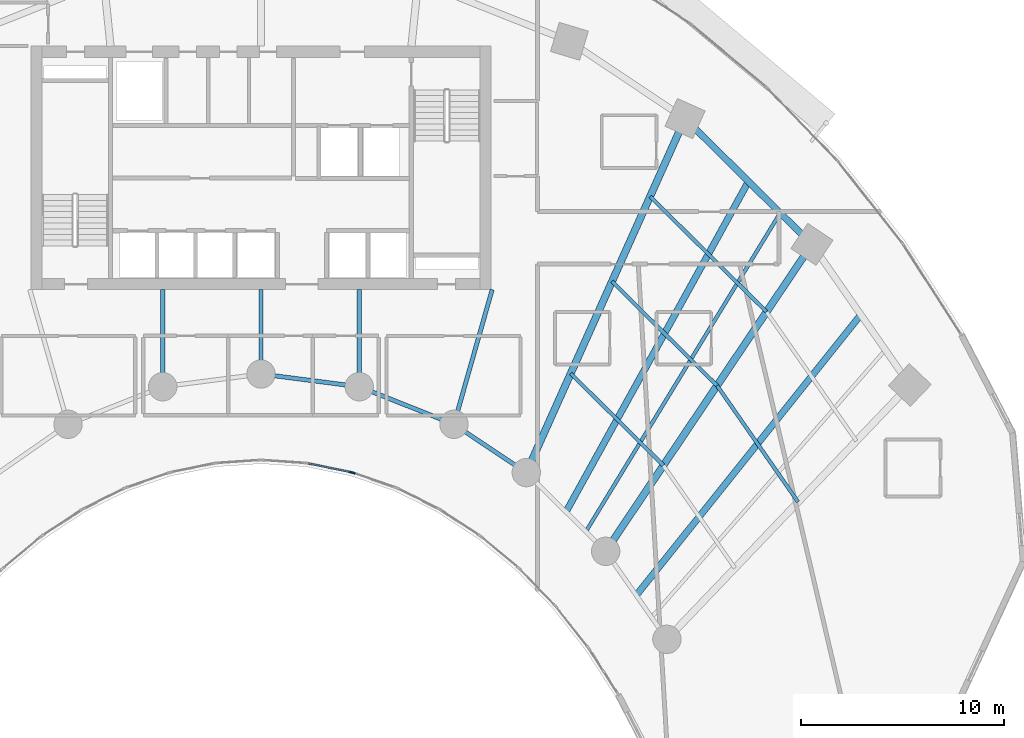
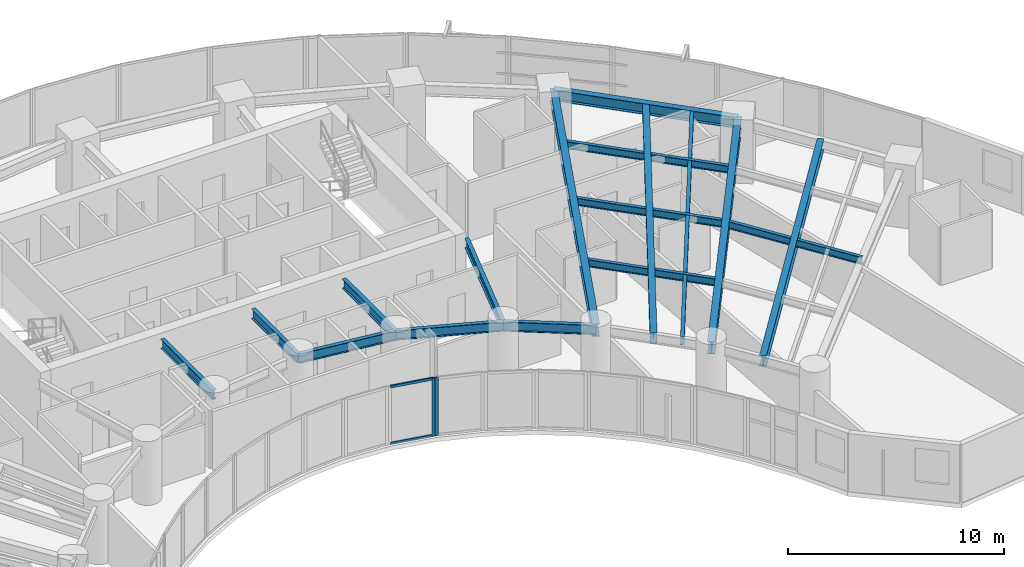
# One storey, part 5 of 17: 17 beams, 4 members, 2 elements without a shape of their own.
"""IFC4 building model written with IfcOpenShell, lengths in metres."""

from ifc_helpers import new_model, si_unit, direction, frame, origin, origin_2d, place, context, subcontext, project, spatial, rectangle, i_section, extrude, source, transform, mapped, material, layer, layer_set, material_profile, profile_set, type_object, type_shapes, element, aggregate, save


model = new_model("IFC4")

# Units and contexts
model_context = context("Model", 3, precision=1e-05, world=origin(), true_north=direction((0.0, 1.0)))
body_context = subcontext(model_context, "Body", "Model", "MODEL_VIEW")
ifc_project = project(units=[si_unit("LENGTHUNIT", "METRE"), si_unit("AREAUNIT", "SQUARE_METRE"), si_unit("VOLUMEUNIT", "CUBIC_METRE"), si_unit("PLANEANGLEUNIT", "RADIAN"), si_unit("MASSUNIT", "GRAM", prefix="KILO")], contexts=[model_context])

# Site, building, storey
site_placement = place(None, origin())
site = spatial("IfcSite", under=ifc_project, at=site_placement, CompositionType="ELEMENT")
building_placement = place(site_placement, origin())
building = spatial("IfcBuilding", under=site, at=building_placement, Name="Breltana Convention Tower", CompositionType="ELEMENT")
storey_placement = place(building_placement, frame((0.0, 0.0, 82.199951171875)))
storey = spatial("IfcBuildingStorey", under=building, at=storey_placement, Name="L19", CompositionType="ELEMENT", Elevation=82.199951171875)

# Beams
ifc_material_1 = material(Name="Steel ASTM A992 Grade 50", Category="steel")
ifc_material_profile_1 = material_profile(ifc_material_1, i_section(OverallWidth=0.323974609375, OverallDepth=0.611083984375, WebThickness=0.0126953125, FlangeThickness=0.01904296875, at=origin_2d()), Name="W24X104")
ifc_profile_set_1 = profile_set([ifc_material_profile_1], Name="Steel ASTM A992 Grade 50")
beam_type_1 = type_object("IfcBeamType", Name="BM-SP-W24X104", PredefinedType="SPANDREL", material=ifc_profile_set_1)
shared_shape_1 = source(origin(), body_context, "Body", "SweptSolid", [
    extrude(i_section(OverallWidth=0.323974609375, OverallDepth=0.611083984375, WebThickness=0.0126953125, FlangeThickness=0.01904296875, at=origin_2d()), origin(), (0.0, 0.0, 1.0), 8.810302734375),
])
beam_1_placement = place(storey_placement, frame((68.910400390625, 68.63330078125, 2.974609375), z_axis=(0.710120823582, -0.704079836322, 0.0), x_axis=(0.704079836322, 0.710120823582, 0.0)))
element("IfcBeam", 1, at=beam_1_placement, inside=storey, type_object=beam_type_1, Name="L19 Outer Spandrel Beam 09", PredefinedType="SPANDREL", context=body_context, shape_type="MappedRepresentation", body=[
    mapped(shared_shape_1, transform((0.0, 0.0, 0.0), scale=1.0)),
])
ifc_material_profile_2 = material_profile(ifc_material_1, i_section(OverallWidth=0.2099609375, OverallDepth=0.537109375, WebThickness=0.010986328125, FlangeThickness=0.017333984375, at=origin_2d()), Name="W21X68")
ifc_profile_set_2 = profile_set([ifc_material_profile_2], Name="Steel ASTM A992 Grade 50")
beam_type_2 = type_object("IfcBeamType", Name="BM-BM-W21X68", PredefinedType="BEAM", material=ifc_profile_set_2)
shared_shape_2 = source(origin(), body_context, "Body", "SweptSolid", [
    extrude(i_section(OverallWidth=0.2099609375, OverallDepth=0.537109375, WebThickness=0.010986328125, FlangeThickness=0.017333984375, at=origin_2d()), origin(), (0.0, 0.0, 1.0), 6.904541015625),
])
type_shapes(beam_type_2, [shared_shape_2])
beam_2_placement = place(storey_placement, frame((59.39990234375, 60.199951171875, 3.011474609375), z_axis=(-0.273006781054, -0.962012108811, 0.0), x_axis=(0.962012108811, -0.273006781054, 0.0)))
element("IfcBeam", 2, at=beam_2_placement, inside=storey, type_object=beam_type_2, Name="L19 South Core Tie Girder R08", PredefinedType="BEAM", context=body_context, shape_type="MappedRepresentation", body=[
    mapped(shared_shape_2, transform((0.0, 0.0, 0.0), scale=1.0)),
])
shared_shape_3 = source(origin(), body_context, "Body", "SweptSolid", [
    extrude(i_section(OverallWidth=0.2099609375, OverallDepth=0.537109375, WebThickness=0.010986328125, FlangeThickness=0.017333984375, at=origin_2d()), origin(), (0.0, 0.0, 1.0), 4.789306640625),
])
for number, where, z_axis, x_axis, name in (
    (3, (43.153564453125, 60.199951171875, 3.011474609375), (0.0, -1.0, 0.0), (1.0, 0.0, 0.0), "L19 South Core Tie Girder R05"),
    (4, (52.846435546875, 60.199951171875, 3.011474609375), (0.0, -1.0, 0.0), (1.0, 0.0, 0.0), "L19 South Core Tie Girder R07"),
):
    element("IfcBeam", number, at=place(storey_placement, frame(where, z_axis=z_axis, x_axis=x_axis)), inside=storey, type_object=beam_type_2, Name=name, PredefinedType="BEAM", context=body_context, shape_type="MappedRepresentation", body=[
        mapped(shared_shape_3, transform((0.0, 0.0, 0.0), scale=1.0)),
    ])
shared_shape_4 = source(origin(), body_context, "Body", "SweptSolid", [
    extrude(i_section(OverallWidth=0.2099609375, OverallDepth=0.537109375, WebThickness=0.010986328125, FlangeThickness=0.017333984375, at=origin_2d()), origin(), (0.0, 0.0, 1.0), 4.1640625),
])
beam_3_placement = place(storey_placement, frame((48.0, 60.199951171875, 3.011474609375), z_axis=(0.0, -1.0, 0.0), x_axis=(1.0, 0.0, 0.0)))
element("IfcBeam", 5, at=beam_3_placement, inside=storey, type_object=beam_type_2, Name="L19 South Core Tie Girder R06", PredefinedType="BEAM", context=body_context, shape_type="MappedRepresentation", body=[
    mapped(shared_shape_4, transform((0.0, 0.0, 0.0), scale=1.0)),
])
ifc_material_profile_3 = material_profile(ifc_material_1, i_section(OverallWidth=0.35498046875, OverallDepth=0.696044921875, WebThickness=0.015380859375, FlangeThickness=0.02490234375, at=origin_2d()), Name="W27X146")
ifc_profile_set_3 = profile_set([ifc_material_profile_3], Name="Steel ASTM A992 Grade 50")
beam_type_3 = type_object("IfcBeamType", Name="BM-RG-W27X146", PredefinedType="USERDEFINED", material=ifc_profile_set_3)
shared_shape_5 = source(origin(), body_context, "Body", "SweptSolid", [
    extrude(i_section(OverallWidth=0.35498046875, OverallDepth=0.696044921875, WebThickness=0.015380859375, FlangeThickness=0.02490234375, at=origin_2d()), origin(), (0.0, 0.0, 1.0), 19.133544921875),
])
beam_4_placement = place(storey_placement, frame((61.08203125, 51.174560546875, 2.93212890625), z_axis=(0.409144564164, 0.912469575172, 0.0), x_axis=(-0.912469575172, 0.409144564164, 0.0)))
element("IfcBeam", 6, at=beam_4_placement, inside=storey, type_object=beam_type_3, Name="L19 Radial Floor Girder R09", ObjectType="GIRDER", PredefinedType="USERDEFINED", context=body_context, shape_type="MappedRepresentation", body=[
    mapped(shared_shape_5, transform((0.0, 0.0, 0.0), scale=1.0)),
])
shared_shape_6 = source(origin(), body_context, "Body", "SweptSolid", [
    extrude(i_section(OverallWidth=0.35498046875, OverallDepth=0.696044921875, WebThickness=0.015380859375, FlangeThickness=0.02490234375, at=origin_2d()), origin(), (0.0, 0.0, 1.0), 18.236328125),
])
beam_5_placement = place(storey_placement, frame((64.995849609375, 47.293701171875, 2.93212890625), z_axis=(0.557730360975, 0.830022195153, 0.0), x_axis=(-0.830022195153, 0.557730360975, 0.0)))
element("IfcBeam", 7, at=beam_5_placement, inside=storey, type_object=beam_type_3, Name="L19 Radial Floor Girder R10", ObjectType="GIRDER", PredefinedType="USERDEFINED", context=body_context, shape_type="MappedRepresentation", body=[
    mapped(shared_shape_6, transform((0.0, 0.0, 0.0), scale=1.0)),
])
shared_shape_7 = source(origin(), body_context, "Body", "SweptSolid", [
    extrude(i_section(OverallWidth=0.2099609375, OverallDepth=0.537109375, WebThickness=0.010986328125, FlangeThickness=0.017333984375, at=origin_2d()), origin(), (0.0, 0.0, 1.0), 5.022705078125),
])
beam_6_placement = place(storey_placement, frame((52.846435546875, 55.41064453125, 3.011474609375), z_axis=(0.929458966248, -0.368925507469, 0.0), x_axis=(0.368925507469, 0.929458966248, 0.0)))
element("IfcBeam", 8, at=beam_6_placement, inside=storey, type_object=beam_type_2, Name="L19 Inner Ring Beam 07", PredefinedType="BEAM", context=body_context, shape_type="MappedRepresentation", body=[
    mapped(shared_shape_7, transform((0.0, 0.0, 0.0), scale=1.0)),
])
shared_shape_8 = source(origin(), body_context, "Body", "SweptSolid", [
    extrude(i_section(OverallWidth=0.2099609375, OverallDepth=0.537109375, WebThickness=0.010986328125, FlangeThickness=0.017333984375, at=origin_2d()), origin(), (0.0, 0.0, 1.0), 4.88671875),
])
beam_7_placement = place(storey_placement, frame((48.0, 56.035888671875, 3.011474609375), z_axis=(0.991780525565, -0.127950729231, 0.0), x_axis=(0.127950729231, 0.991780525565, 0.0)))
element("IfcBeam", 9, at=beam_7_placement, inside=storey, type_object=beam_type_2, Name="L19 Inner Ring Beam 06", PredefinedType="BEAM", context=body_context, shape_type="MappedRepresentation", body=[
    mapped(shared_shape_8, transform((0.0, 0.0, 0.0), scale=1.0)),
])
shared_shape_9 = source(origin(), body_context, "Body", "SweptSolid", [
    extrude(i_section(OverallWidth=0.2099609375, OverallDepth=0.537109375, WebThickness=0.010986328125, FlangeThickness=0.017333984375, at=origin_2d()), origin(), (0.0, 0.0, 1.0), 4.2900390625),
])
beam_8_placement = place(storey_placement, frame((57.514892578125, 53.5576171875, 3.011474609375), z_axis=(0.831515827753, -0.555501060482, 0.0), x_axis=(0.555501060482, 0.831515827753, 0.0)))
element("IfcBeam", 10, at=beam_8_placement, inside=storey, type_object=beam_type_2, Name="L19 Inner Ring Beam 08", PredefinedType="BEAM", context=body_context, shape_type="MappedRepresentation", body=[
    mapped(shared_shape_9, transform((0.0, 0.0, 0.0), scale=1.0)),
])
ifc_material_profile_4 = material_profile(ifc_material_1, i_section(OverallWidth=0.179931640625, OverallDepth=0.4130859375, WebThickness=0.009765625, FlangeThickness=0.01611328125, at=origin_2d()), Name="W16X50")
ifc_profile_set_4 = profile_set([ifc_material_profile_4], Name="Steel ASTM A992 Grade 50")
beam_type_4 = type_object("IfcBeamType", Name="BM-JSG-08", PredefinedType="JOIST", material=ifc_profile_set_4)
shared_shape_10 = source(origin(), body_context, "Body", "SweptSolid", [
    extrude(i_section(OverallWidth=0.179931640625, OverallDepth=0.4130859375, WebThickness=0.009765625, FlangeThickness=0.01611328125, at=origin_2d()), origin(), (0.0, 0.0, 1.0), 6.435302734375),
])
beam_9_placement = place(storey_placement, frame((63.27392578125, 56.06298828125, 3.073486328125), z_axis=(0.710116389828, -0.704084308089, 0.0), x_axis=(0.704084308089, 0.710116389828, 0.0)))
element("IfcBeam", 11, at=beam_9_placement, inside=storey, type_object=beam_type_4, Name="L19 Composite Floor Joist 09.1", PredefinedType="JOIST", context=body_context, shape_type="MappedRepresentation", body=[
    mapped(shared_shape_10, transform((0.0, 0.0, 0.0), scale=1.0)),
])
shared_shape_11 = source(origin(), body_context, "Body", "SweptSolid", [
    extrude(i_section(OverallWidth=0.179931640625, OverallDepth=0.4130859375, WebThickness=0.009765625, FlangeThickness=0.01611328125, at=origin_2d()), origin(), (0.0, 0.0, 1.0), 7.29296875),
])
beam_10_placement = place(storey_placement, frame((65.309326171875, 60.602294921875, 3.073486328125), z_axis=(0.710096551013, -0.704104316305, 0.0), x_axis=(0.704104316305, 0.710096551013, 0.0)))
element("IfcBeam", 12, at=beam_10_placement, inside=storey, type_object=beam_type_4, Name="L19 Composite Floor Joist 09.2", PredefinedType="JOIST", context=body_context, shape_type="MappedRepresentation", body=[
    mapped(shared_shape_11, transform((0.0, 0.0, 0.0), scale=1.0)),
])
shared_shape_12 = source(origin(), body_context, "Body", "SweptSolid", [
    extrude(i_section(OverallWidth=0.179931640625, OverallDepth=0.4130859375, WebThickness=0.009765625, FlangeThickness=0.01611328125, at=origin_2d()), origin(), (0.0, 0.0, 1.0), 8.084716796875),
])
beam_11_placement = place(storey_placement, frame((67.188232421875, 64.79248046875, 3.073486328125), z_axis=(0.710105094548, -0.704095699956, 0.0), x_axis=(0.704095699956, 0.710105094548, 0.0)))
element("IfcBeam", 13, at=beam_11_placement, inside=storey, type_object=beam_type_4, Name="L19 Composite Floor Joist 09.3", PredefinedType="JOIST", context=body_context, shape_type="MappedRepresentation", body=[
    mapped(shared_shape_12, transform((0.0, 0.0, 0.0), scale=1.0)),
])
ifc_material_profile_5 = material_profile(ifc_material_1, i_section(OverallWidth=0.323974609375, OverallDepth=0.611083984375, WebThickness=0.0126953125, FlangeThickness=0.01904296875, at=origin_2d()), Name="W24X104")
ifc_profile_set_5 = profile_set([ifc_material_profile_5], Name="Steel ASTM A992 Grade 50")
beam_type_5 = type_object("IfcBeamType", Name="BM-JSG-01", PredefinedType="JOIST", material=ifc_profile_set_5)
shared_shape_13 = source(origin(), body_context, "Body", "SweptSolid", [
    extrude(i_section(OverallWidth=0.323974609375, OverallDepth=0.611083984375, WebThickness=0.0126953125, FlangeThickness=0.01904296875, at=origin_2d()), origin(), (0.0, 0.0, 1.0), 18.617431640625),
])
beam_12_placement = place(storey_placement, frame((63.038818359375, 49.234130859375, 2.974609375), z_axis=(0.483405602507, 0.875396495004, 0.0), x_axis=(-0.875396495004, 0.483405602507, 0.0)))
element("IfcBeam", 14, at=beam_12_placement, inside=storey, type_object=beam_type_5, Name="L19 Mid-Bay Radial Trimmer 09", PredefinedType="JOIST", context=body_context, shape_type="MappedRepresentation", body=[
    mapped(shared_shape_13, transform((0.0, 0.0, 0.0), scale=1.0)),
])
shared_shape_14 = source(origin(), body_context, "Body", "SweptSolid", [
    extrude(i_section(OverallWidth=0.179931640625, OverallDepth=0.4130859375, WebThickness=0.009765625, FlangeThickness=0.01611328125, at=origin_2d()), origin(), (0.0, 0.0, 1.0), 18.409423828125),
])
beam_13_placement = place(storey_placement, frame((64.017333984375, 48.263916015625, 3.073486328125), z_axis=(0.520682167606, 0.853750596098, 0.0), x_axis=(-0.853750596098, 0.520682167606, 0.0)))
element("IfcBeam", 15, at=beam_13_placement, inside=storey, type_object=beam_type_4, Name="L19 Quarter-Bay Radial Trimmer 09", PredefinedType="JOIST", context=body_context, shape_type="MappedRepresentation", body=[
    mapped(shared_shape_14, transform((0.0, 0.0, 0.0), scale=1.0)),
])
shared_shape_15 = source(origin(), body_context, "Body", "SweptSolid", [
    extrude(i_section(OverallWidth=0.179931640625, OverallDepth=0.4130859375, WebThickness=0.009765625, FlangeThickness=0.01611328125, at=origin_2d()), origin(), (0.0, 0.0, 1.0), 6.99462890625),
])
beam_14_placement = place(storey_placement, frame((70.488037109375, 55.46728515625, 3.073486328125), z_axis=(0.571206630732, -0.820806301759, 0.0), x_axis=(0.820806301759, 0.571206630732, 0.0)))
element("IfcBeam", 16, at=beam_14_placement, inside=storey, type_object=beam_type_4, Name="L19 Composite Floor Joist 10.2", PredefinedType="JOIST", context=body_context, shape_type="MappedRepresentation", body=[
    mapped(shared_shape_15, transform((0.0, 0.0, 0.0), scale=1.0)),
])
shared_shape_16 = source(origin(), body_context, "Body", "SweptSolid", [
    extrude(i_section(OverallWidth=0.323974609375, OverallDepth=0.611083984375, WebThickness=0.0126953125, FlangeThickness=0.01904296875, at=origin_2d()), origin(), (0.0, 0.0, 1.0), 17.7236328125),
])
beam_15_placement = place(storey_placement, frame((66.505615234375, 45.124267578125, 2.974609375), z_axis=(0.624829427563, 0.78076128647, 0.0), x_axis=(-0.78076128647, 0.624829427563, 0.0)))
element("IfcBeam", 17, at=beam_15_placement, inside=storey, type_object=beam_type_5, Name="L19 Mid-Bay Radial Trimmer 10", PredefinedType="JOIST", context=body_context, shape_type="MappedRepresentation", body=[
    mapped(shared_shape_16, transform((0.0, 0.0, 0.0), scale=1.0)),
])

# Curtain wall, members
ifc_material_2 = material(Name="Aluminium Anodised Bronze Frame", Category="aluminium")
ifc_layer = layer(ifc_material_2, 0.18994140625, Name="Aluminium Anodised Bronze Frame")
ifc_layer_set = layer_set([ifc_layer], Name="Aluminium Anodised Bronze Frame")
curtain_wall_type = type_object("IfcCurtainWallType", Name="CW-SYS-1", PredefinedType="NOTDEFINED", material=ifc_layer_set)
curtain_wall_1_placement = place(storey_placement, origin())
curtain_wall_1 = element("IfcCurtainWall", 18, at=curtain_wall_1_placement, inside=storey, type_object=curtain_wall_type, Name="L19 inner south-court glazing 8", PredefinedType="NOTDEFINED")
ifc_material_3 = material(Name="Aluminium Anodised Bronze", Category="aluminium")
ifc_material_profile_6 = material_profile(ifc_material_3, rectangle(XDim=0.080078125, YDim=0.139892578125, at=origin_2d()), Name="CWT-80X140")
ifc_profile_set_6 = profile_set([ifc_material_profile_6], Name="Aluminium Anodised Bronze")
member_type_1 = type_object("IfcMemberType", Name="CWT-140", PredefinedType="USERDEFINED", material=ifc_profile_set_6)
shared_shape_17 = source(origin(), body_context, "Body", "SweptSolid", [
    extrude(rectangle(XDim=0.080078125, YDim=0.139892578125, at=origin_2d()), origin(), (0.0, 0.0, 1.0), 2.096435546875),
])
member_1_placement = place(storey_placement, frame((52.401611328125, 51.201416015625, 0.0400390625), z_axis=(-0.979615042233, 0.200883969074, 0.0), x_axis=(-0.200883969074, -0.979615042233, 0.0)))
member_1 = element("IfcMember", 19, at=member_1_placement, type_object=member_type_1, Name="CW-01 transom 1.1", ObjectType="TRANSOM", PredefinedType="USERDEFINED", context=body_context, shape_type="MappedRepresentation", body=[
    mapped(shared_shape_17, transform((0.0, 0.0, 0.0), scale=1.0)),
])
member_2_placement = place(storey_placement, frame((52.401611328125, 51.201416015625, 3.239990234375), z_axis=(-0.979615042233, 0.200883969074, 0.0), x_axis=(-0.200883969074, -0.979615042233, 0.0)))
member_2 = element("IfcMember", 20, at=member_2_placement, type_object=member_type_1, Name="CW-01 transom 1.2", ObjectType="TRANSOM", PredefinedType="USERDEFINED", context=body_context, shape_type="MappedRepresentation", body=[
    mapped(shared_shape_17, transform((0.0, 0.0, 0.0), scale=1.0)),
])

# Curtain wall, member
curtain_wall_2_placement = place(storey_placement, origin())
curtain_wall_2 = element("IfcCurtainWall", 21, at=curtain_wall_2_placement, inside=storey, type_object=curtain_wall_type, Name="L19 inner south-court glazing 7", PredefinedType="NOTDEFINED")
ifc_material_profile_7 = material_profile(ifc_material_3, rectangle(XDim=0.080078125, YDim=0.199951171875, at=origin_2d()), Name="CWM-80X200")
ifc_profile_set_7 = profile_set([ifc_material_profile_7], Name="Aluminium Anodised Bronze")
member_type_2 = type_object("IfcMemberType", Name="CWM-200", PredefinedType="MULLION", material=ifc_profile_set_7)
shared_shape_18 = source(origin(), body_context, "Body", "SweptSolid", [
    extrude(rectangle(XDim=0.080078125, YDim=0.199951171875, at=origin_2d()), origin(), (0.0, 0.0, 1.0), 3.280029296875),
])
member_3_placement = place(storey_placement, frame((52.54052734375, 51.166015625, 0.0), z_axis=(0.0, 0.0, 1.0), x_axis=(-0.327413341714, -0.944881211406, 0.0)))
member_3 = element("IfcMember", 22, at=member_3_placement, type_object=member_type_2, Name="CW-01 mullion 2", PredefinedType="MULLION", context=body_context, shape_type="MappedRepresentation", body=[
    mapped(shared_shape_18, transform((0.0, 0.0, 0.0), scale=1.0)),
])
aggregate(curtain_wall_2, [member_3])

# Member
member_4_placement = place(storey_placement, frame((52.44091796875, 51.193359375, 0.0), z_axis=(0.0, 0.0, 1.0), x_axis=(-0.200886350278, -0.97961455393, 0.0)))
member_4 = element("IfcMember", 23, at=member_4_placement, type_object=member_type_2, Name="CW-01 mullion 1", PredefinedType="MULLION", context=body_context, shape_type="MappedRepresentation", body=[
    mapped(shared_shape_18, transform((0.0, 0.0, 0.0), scale=1.0)),
])

aggregate(curtain_wall_1, [member_4, member_1, member_2])

save(model, "model.ifc")
